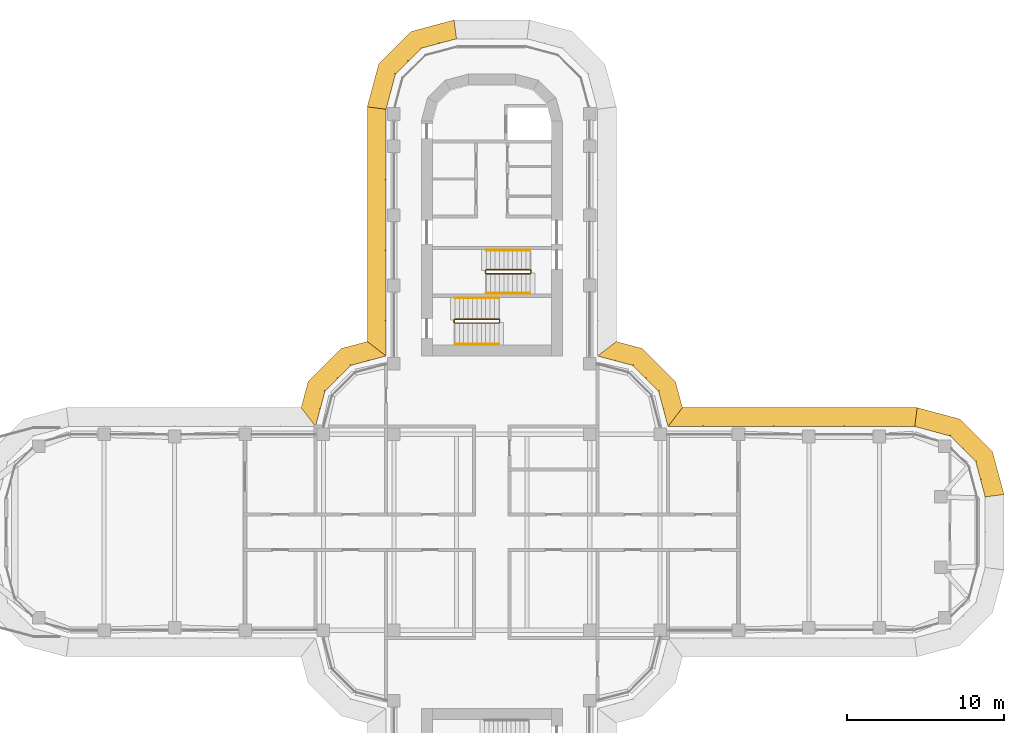
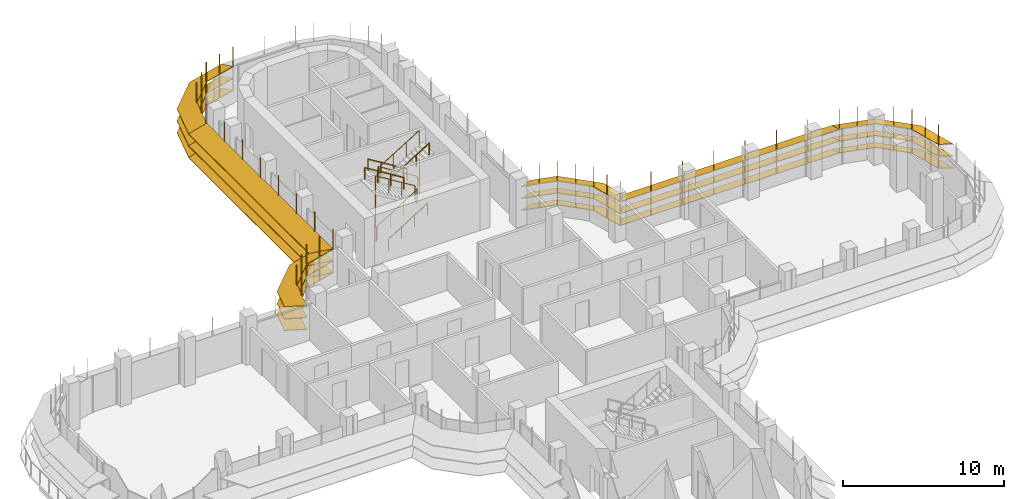
# One storey, part 19 of 20: 6 railings, 6 shading devices.
"""IFC4 building model written with IfcOpenShell, lengths in metres."""

from ifc_helpers import new_model, si_unit, direction, frame, origin, origin_2d, place, context, subcontext, project, spatial, polyline, circle, outline, extrude, faceted_brep, source, transform, mapped, material, type_object, element, save


model = new_model("IFC4")

# Units and contexts
model_context = context("Model", 3, precision=1e-05, world=origin(), true_north=direction((0.0, 1.0)))
body_context = subcontext(model_context, "Body", "Model", "MODEL_VIEW")
ifc_project = project(units=[si_unit("LENGTHUNIT", "METRE"), si_unit("AREAUNIT", "SQUARE_METRE"), si_unit("VOLUMEUNIT", "CUBIC_METRE"), si_unit("PLANEANGLEUNIT", "RADIAN"), si_unit("MASSUNIT", "GRAM", prefix="KILO")], contexts=[model_context])

# Site, building, storey
site_placement = place(None, origin())
site = spatial("IfcSite", under=ifc_project, at=site_placement, CompositionType="ELEMENT")
building_placement = place(site_placement, origin())
building = spatial("IfcBuilding", under=site, at=building_placement, Name="Zarbagh Exchange Tower", CompositionType="ELEMENT")
storey_placement = place(building_placement, frame((0.0, 0.0, 186.60009765625)))
storey = spatial("IfcBuildingStorey", under=building, at=storey_placement, Name="L45", CompositionType="ELEMENT", Elevation=186.60009765625)

# Railings
ifc_material_1 = material(Name="Stainless steel", Category="steel")
railing_type_1 = type_object("IfcRailingType", Name="Stair guard 1100 mm", PredefinedType="GUARDRAIL", material=ifc_material_1)
railing_1_placement = place(storey_placement, frame((-0.35009765625, 16.5, 2.072509765625)))
element("IfcRailing", 1, at=railing_1_placement, inside=storey, type_object=railing_type_1, Name="ST1 stair guard 1", PredefinedType="GUARDRAIL", context=body_context, shape_type="SweptSolid", body=[
    extrude(circle(Radius=0.02392578125, at=origin_2d()), frame((0.0, 0.0, 1.076171875), z_axis=(0.851089632645, 0.0, 0.525020415988), x_axis=(0.0, 1.0, 0.0)), (0.0, 0.0, 1.0), 3.2900390625),
    extrude(circle(Radius=0.02392578125, at=origin_2d()), frame((2.800048828125, 0.0, 2.80322265625), z_axis=(0.013169136761, 0.013169136761, -0.999826558796), x_axis=(-0.707106781187, 0.707106781187, 0.0)), (0.0, 0.0, 1.0), 3.800537109375),
    extrude(circle(Radius=0.02392578125, at=origin_2d()), frame((2.85009765625, 0.050048828125, -0.99658203125), z_axis=(0.0, 1.0, 0.0), x_axis=(-1.0, 0.0, 0.0)), (0.0, 0.0, 1.0), 0.14990234375),
    extrude(circle(Radius=0.02392578125, at=origin_2d()), frame((2.85009765625, 0.199951171875, -0.99658203125), z_axis=(-0.268277960024, 0.268277960024, 0.925231793839), x_axis=(-0.707106781187, -0.707106781187, 0.0)), (0.0, 0.0, 1.0), 0.1865234375),
    extrude(circle(Radius=0.02392578125, at=origin_2d()), frame((2.800048828125, 0.25, -0.82373046875), z_axis=(-0.851089632645, 0.0, 0.525020415988), x_axis=(0.0, -1.0, 0.0)), (0.0, 0.0, 1.0), 3.2900390625),
    extrude(circle(Radius=0.02392578125, at=origin_2d()), frame((0.0, 0.25, 0.9033203125), z_axis=(-0.705375805398, -0.708833529934, 0.0), x_axis=(0.708833529934, -0.705375805398, 0.0)), (0.0, 0.0, 1.0), 0.070556640625),
    extrude(circle(Radius=0.02392578125, at=origin_2d()), frame((-0.0498046875, 0.199951171875, 0.9033203125), z_axis=(0.0, -1.0, 0.0), x_axis=(1.0, 0.0, 0.0)), (0.0, 0.0, 1.0), 0.14990234375),
    extrude(circle(Radius=0.02099609375, at=origin_2d()), origin(), (0.0, 0.0, 1.0), 1.052001953125),
    extrude(circle(Radius=0.02099609375, at=origin_2d()), frame((0.933349609375, 0.0, 0.57568359375)), (0.0, 0.0, 1.0), 1.052001953125),
    extrude(circle(Radius=0.02099609375, at=origin_2d()), frame((1.86669921875, 0.0, 1.151611328125)), (0.0, 0.0, 1.0), 1.052001953125),
    extrude(circle(Radius=0.02099609375, at=origin_2d()), frame((2.800048828125, 0.0, 1.727294921875)), (0.0, 0.0, 1.0), 1.052001953125),
    extrude(circle(Radius=0.02099609375, at=origin_2d()), frame((2.8125, 0.012451171875, 0.77734375)), (0.0, 0.0, 1.0), 1.052001953125),
    extrude(circle(Radius=0.02099609375, at=origin_2d()), frame((2.8251953125, 0.02490234375, -0.172607421875)), (0.0, 0.0, 1.0), 1.052001953125),
    extrude(circle(Radius=0.02099609375, at=origin_2d()), frame((2.837646484375, 0.03759765625, -1.12255859375)), (0.0, 0.0, 1.0), 1.052001953125),
    extrude(circle(Radius=0.02099609375, at=origin_2d()), frame((2.85009765625, 0.050048828125, -2.072509765625)), (0.0, 0.0, 1.0), 1.052001953125),
    extrude(circle(Radius=0.02099609375, at=origin_2d()), frame((2.85009765625, 0.199951171875, -2.072509765625)), (0.0, 0.0, 1.0), 1.052001953125),
    extrude(circle(Radius=0.02099609375, at=origin_2d()), frame((2.800048828125, 0.25, -1.89990234375)), (0.0, 0.0, 1.0), 1.052001953125),
    extrude(circle(Radius=0.02099609375, at=origin_2d()), frame((1.86669921875, 0.25, -1.32421875)), (0.0, 0.0, 1.0), 1.052001953125),
    extrude(circle(Radius=0.02099609375, at=origin_2d()), frame((0.933349609375, 0.25, -0.748291015625)), (0.0, 0.0, 1.0), 1.052001953125),
    extrude(circle(Radius=0.02099609375, at=origin_2d()), frame((0.0, 0.25, -0.172607421875)), (0.0, 0.0, 1.0), 1.052001953125),
    extrude(circle(Radius=0.02099609375, at=origin_2d()), frame((-0.0498046875, 0.199951171875, -0.172607421875)), (0.0, 0.0, 1.0), 1.052001953125),
    extrude(circle(Radius=0.02099609375, at=origin_2d()), frame((-0.0498046875, 0.050048828125, -0.172607421875)), (0.0, 0.0, 1.0), 1.052001953125),
])
railing_2_placement = place(storey_placement, frame((0.5, 13.39990234375, 1.89990234375)))
element("IfcRailing", 2, at=railing_2_placement, inside=storey, type_object=railing_type_1, Name="ST2 stair guard 1", PredefinedType="GUARDRAIL", context=body_context, shape_type="SweptSolid", body=[
    extrude(circle(Radius=0.02392578125, at=origin_2d()), frame((0.0, 0.0, 1.076171875), z_axis=(0.0, 1.0, 0.0), x_axis=(-1.0, 0.0, 0.0)), (0.0, 0.0, 1.0), 0.150146484375),
    extrude(circle(Radius=0.02392578125, at=origin_2d()), frame((0.0, 0.150146484375, 1.076171875), z_axis=(-0.268277960024, 0.268277960024, 0.925231793839), x_axis=(-0.707106781187, -0.707106781187, 0.0)), (0.0, 0.0, 1.0), 0.1865234375),
    extrude(circle(Radius=0.02392578125, at=origin_2d()), frame((-0.050048828125, 0.2001953125, 1.24853515625), z_axis=(-0.851089632645, 0.0, 0.525020415988), x_axis=(0.0, -1.0, 0.0)), (0.0, 0.0, 1.0), 3.2900390625),
    extrude(circle(Radius=0.02392578125, at=origin_2d()), frame((-2.85009765625, 0.2001953125, 2.97607421875), z_axis=(-0.013104908129, -0.013169147875, -0.999827402569), x_axis=(0.708833529934, -0.705375805398, 0.0)), (0.0, 0.0, 1.0), 3.800537109375),
    extrude(circle(Radius=0.02392578125, at=origin_2d()), frame((-2.89990234375, 0.150146484375, -0.82373046875), z_axis=(0.0, -1.0, 0.0), x_axis=(1.0, 0.0, 0.0)), (0.0, 0.0, 1.0), 0.150146484375),
    extrude(circle(Radius=0.02392578125, at=origin_2d()), frame((-2.89990234375, 0.0, -0.82373046875), z_axis=(0.26715648603, -0.26715648603, 0.925880566782), x_axis=(0.707106781187, 0.707106781187, 0.0)), (0.0, 0.0, 1.0), 0.1865234375),
    extrude(circle(Radius=0.02392578125, at=origin_2d()), frame((-2.85009765625, -0.0498046875, -0.6513671875), z_axis=(0.851089632645, 0.0, 0.525020415988), x_axis=(0.0, 1.0, 0.0)), (0.0, 0.0, 1.0), 3.2900390625),
    extrude(circle(Radius=0.02099609375, at=origin_2d()), origin(), (0.0, 0.0, 1.0), 1.052001953125),
    extrude(circle(Radius=0.02099609375, at=origin_2d()), frame((0.0, 0.150146484375, 0.0)), (0.0, 0.0, 1.0), 1.052001953125),
    extrude(circle(Radius=0.02099609375, at=origin_2d()), frame((-0.050048828125, 0.2001953125, 0.172607421875)), (0.0, 0.0, 1.0), 1.052001953125),
    extrude(circle(Radius=0.02099609375, at=origin_2d()), frame((-0.9833984375, 0.2001953125, 0.748291015625)), (0.0, 0.0, 1.0), 1.052001953125),
    extrude(circle(Radius=0.02099609375, at=origin_2d()), frame((-1.916748046875, 0.2001953125, 1.32421875)), (0.0, 0.0, 1.0), 1.052001953125),
    extrude(circle(Radius=0.02099609375, at=origin_2d()), frame((-2.85009765625, 0.2001953125, 1.89990234375)), (0.0, 0.0, 1.0), 1.052001953125),
    extrude(circle(Radius=0.02099609375, at=origin_2d()), frame((-2.862548828125, 0.187744140625, 0.949951171875)), (0.0, 0.0, 1.0), 1.052001953125),
    extrude(circle(Radius=0.02099609375, at=origin_2d()), frame((-2.875, 0.17529296875, 0.0)), (0.0, 0.0, 1.0), 1.052001953125),
    extrude(circle(Radius=0.02099609375, at=origin_2d()), frame((-2.887451171875, 0.16259765625, -0.949951171875)), (0.0, 0.0, 1.0), 1.052001953125),
    extrude(circle(Radius=0.02099609375, at=origin_2d()), frame((-2.89990234375, 0.150146484375, -1.89990234375)), (0.0, 0.0, 1.0), 1.052001953125),
    extrude(circle(Radius=0.02099609375, at=origin_2d()), frame((-2.89990234375, 0.0, -1.89990234375)), (0.0, 0.0, 1.0), 1.052001953125),
    extrude(circle(Radius=0.02099609375, at=origin_2d()), frame((-2.85009765625, -0.0498046875, -1.727294921875)), (0.0, 0.0, 1.0), 1.052001953125),
    extrude(circle(Radius=0.02099609375, at=origin_2d()), frame((-1.916748046875, -0.0498046875, -1.151611328125)), (0.0, 0.0, 1.0), 1.052001953125),
    extrude(circle(Radius=0.02099609375, at=origin_2d()), frame((-0.9833984375, -0.0498046875, -0.57568359375)), (0.0, 0.0, 1.0), 1.052001953125),
    extrude(circle(Radius=0.02099609375, at=origin_2d()), frame((-0.050048828125, -0.0498046875, 0.0)), (0.0, 0.0, 1.0), 1.052001953125),
])
railing_type_2 = type_object("IfcRailingType", Name="Stair handrail 900 mm", PredefinedType="HANDRAIL", material=ifc_material_1)
railing_3_placement = place(storey_placement, frame((2.449951171875, 18.0, 0.172607421875)))
element("IfcRailing", 3, at=railing_3_placement, inside=storey, type_object=railing_type_2, Name="ST1 stair handrail 1", PredefinedType="HANDRAIL", context=body_context, shape_type="SweptSolid", body=[
    extrude(circle(Radius=0.02392578125, at=origin_2d()), frame((0.0, 0.0, 0.8759765625), z_axis=(-0.851089632645, 0.0, 0.525020415988), x_axis=(0.0, -1.0, 0.0)), (0.0, 0.0, 1.0), 3.2900390625),
    extrude(circle(Radius=0.02099609375, at=origin_2d()), origin(), (0.0, 0.0, 1.0), 0.851806640625),
    extrude(circle(Radius=0.02099609375, at=origin_2d()), frame((-0.933349609375, 0.0, 0.57568359375)), (0.0, 0.0, 1.0), 0.851806640625),
    extrude(circle(Radius=0.02099609375, at=origin_2d()), frame((-1.86669921875, 0.0, 1.151611328125)), (0.0, 0.0, 1.0), 0.851806640625),
    extrude(circle(Radius=0.02099609375, at=origin_2d()), frame((-2.800048828125, 0.0, 1.727294921875)), (0.0, 0.0, 1.0), 0.851806640625),
])
for number, where, name in (
    (4, (-0.35009765625, 15.25, 2.072509765625), "ST1 stair handrail 2"),
    (5, (-2.35009765625, 12.0, 0.172607421875), "ST2 stair handrail 1"),
):
    element("IfcRailing", number, at=place(storey_placement, frame(where)), inside=storey, type_object=railing_type_2, Name=name, PredefinedType="HANDRAIL", context=body_context, shape_type="SweptSolid", body=[
        extrude(circle(Radius=0.02392578125, at=origin_2d()), frame((0.0, 0.0, 0.8759765625), z_axis=(0.851089632645, 0.0, 0.525020415988), x_axis=(0.0, 1.0, 0.0)), (0.0, 0.0, 1.0), 3.2900390625),
        extrude(circle(Radius=0.02099609375, at=origin_2d()), origin(), (0.0, 0.0, 1.0), 0.851806640625),
        extrude(circle(Radius=0.02099609375, at=origin_2d()), frame((0.933349609375, 0.0, 0.57568359375)), (0.0, 0.0, 1.0), 0.851806640625),
        extrude(circle(Radius=0.02099609375, at=origin_2d()), frame((1.86669921875, 0.0, 1.151611328125)), (0.0, 0.0, 1.0), 0.851806640625),
        extrude(circle(Radius=0.02099609375, at=origin_2d()), frame((2.800048828125, 0.0, 1.727294921875)), (0.0, 0.0, 1.0), 0.851806640625),
    ])
railing_4_placement = place(storey_placement, frame((0.449951171875, 14.949951171875, 2.072509765625)))
element("IfcRailing", 6, at=railing_4_placement, inside=storey, type_object=railing_type_2, Name="ST2 stair handrail 2", PredefinedType="HANDRAIL", context=body_context, shape_type="SweptSolid", body=[
    extrude(circle(Radius=0.02392578125, at=origin_2d()), frame((0.0, 0.0, 0.8759765625), z_axis=(-0.851089632645, 0.0, 0.525020415988), x_axis=(0.0, -1.0, 0.0)), (0.0, 0.0, 1.0), 3.2900390625),
    extrude(circle(Radius=0.02099609375, at=origin_2d()), origin(), (0.0, 0.0, 1.0), 0.851806640625),
    extrude(circle(Radius=0.02099609375, at=origin_2d()), frame((-0.933349609375, 0.0, 0.57568359375)), (0.0, 0.0, 1.0), 0.851806640625),
    extrude(circle(Radius=0.02099609375, at=origin_2d()), frame((-1.86669921875, 0.0, 1.151611328125)), (0.0, 0.0, 1.0), 0.851806640625),
    extrude(circle(Radius=0.02099609375, at=origin_2d()), frame((-2.800048828125, 0.0, 1.727294921875)), (0.0, 0.0, 1.0), 0.851806640625),
])

# Shading devices
ifc_material_2 = material(Name="Anodised aluminium blades and brackets", Category="aluminium")
shading_device_type = type_object("IfcShadingDeviceType", Name="SUNSHADE louvre band, 22.5 degree blades", PredefinedType="JALOUSIE", material=ifc_material_2)
shared_shape_1 = source(origin(), body_context, "Body", "Brep", [
    faceted_brep([(0.0, 0.0, 0.0), (0.0, 0.0, -0.043212890625), (-0.157958984375, -1.199951171875, -0.540283203125), (-0.157958984375, -1.199951171875, -0.4970703125), (2.65087890625, -1.199951171875, -0.4970703125), (2.65087890625, -1.199951171875, -0.540283203125), (2.329345703125, 0.0, -0.043212890625), (2.329345703125, 0.0, 0.0)], [[[0, 1, 2, 3]], [[4, 5, 6, 7]], [[0, 7, 6, 1]], [[1, 6, 5, 2]], [[2, 5, 4, 3]], [[3, 4, 7, 0]]]),
])
shared_shape_2 = source(origin(), body_context, "Body", "Brep", [
    faceted_brep([(0.0, 0.0, 0.0), (0.0, 0.0, -0.043212890625), (-0.321533203125, -1.199951171875, -0.540283203125), (-0.321533203125, -1.199951171875, -0.4970703125), (2.65087890625, -1.199951171875, -0.4970703125), (2.65087890625, -1.199951171875, -0.540283203125), (2.329345703125, 0.0, -0.043212890625), (2.329345703125, 0.0, 0.0)], [[[0, 1, 2, 3]], [[4, 5, 6, 7]], [[0, 7, 6, 1]], [[1, 6, 5, 2]], [[2, 5, 4, 3]], [[3, 4, 7, 0]]]),
])
shared_shape_3 = source(origin(), body_context, "Body", "Brep", [
    faceted_brep([(0.0, 0.0, 0.0), (0.0, 0.0, -0.043212890625), (-0.321533203125, -1.199951171875, -0.540283203125), (-0.321533203125, -1.199951171875, -0.4970703125), (2.4873046875, -1.199951171875, -0.4970703125), (2.4873046875, -1.199951171875, -0.540283203125), (2.329345703125, 0.0, -0.043212890625), (2.329345703125, 0.0, 0.0)], [[[0, 1, 2, 3]], [[4, 5, 6, 7]], [[0, 7, 6, 1]], [[1, 6, 5, 2]], [[2, 5, 4, 3]], [[3, 4, 7, 0]]]),
])
shared_shape_4 = source(origin(), body_context, "Body", "SweptSolid", [
    extrude(outline(polyline([(0.0, -0.012451171875), (0.06005859375, -0.012451171875), (0.06005859375, 0.012451171875), (0.0, 0.012451171875), (0.0, -0.012451171875)])), origin(), (0.0, 0.0, 1.0), 3.353271484375),
])
placement = place(storey_placement, origin())
element("IfcShadingDevice", 7, at=placement, inside=storey, type_object=shading_device_type, Name="SS33 sunshade band", PredefinedType="JALOUSIE", context=body_context, shape_type="MappedRepresentation", body=[
    mapped(shared_shape_1, transform((31.5, 2.25, 2.2998046875), x_axis=(-0.258824779902, 0.965924289636, 0.0), y_axis=(-0.965924289636, -0.258824779902, 0.0), z_axis=(0.0, 0.0, 1.0))),
    mapped(shared_shape_1, transform((31.5, 2.25, 1.39990234375), x_axis=(-0.258824779902, 0.965924289636, 0.0), y_axis=(-0.965924289636, -0.258824779902, 0.0), z_axis=(0.0, 0.0, 1.0))),
    mapped(shared_shape_1, transform((31.5, 2.25, 0.5), x_axis=(-0.258824779902, 0.965924289636, 0.0), y_axis=(-0.965924289636, -0.258824779902, 0.0), z_axis=(0.0, 0.0, 1.0))),
    mapped(shared_shape_2, transform((30.897216796875, 4.5, 2.2998046875), x_axis=(-0.707106781187, 0.707106781187, 0.0), y_axis=(-0.707106781187, -0.707106781187, 0.0), z_axis=(0.0, 0.0, 1.0))),
    mapped(shared_shape_2, transform((30.897216796875, 4.5, 1.39990234375), x_axis=(-0.707106781187, 0.707106781187, 0.0), y_axis=(-0.707106781187, -0.707106781187, 0.0), z_axis=(0.0, 0.0, 1.0))),
    mapped(shared_shape_2, transform((30.897216796875, 4.5, 0.5), x_axis=(-0.707106781187, 0.707106781187, 0.0), y_axis=(-0.707106781187, -0.707106781187, 0.0), z_axis=(0.0, 0.0, 1.0))),
    mapped(shared_shape_3, transform((29.25, 6.147216796875, 2.2998046875), x_axis=(-0.965924289636, 0.258824779902, 0.0), y_axis=(-0.258824779902, -0.965924289636, 0.0), z_axis=(0.0, 0.0, 1.0))),
    mapped(shared_shape_3, transform((29.25, 6.147216796875, 1.39990234375), x_axis=(-0.965924289636, 0.258824779902, 0.0), y_axis=(-0.258824779902, -0.965924289636, 0.0), z_axis=(0.0, 0.0, 1.0))),
    mapped(shared_shape_3, transform((29.25, 6.147216796875, 0.5), x_axis=(-0.965924289636, 0.258824779902, 0.0), y_axis=(-0.258824779902, -0.965924289636, 0.0), z_axis=(0.0, 0.0, 1.0))),
    mapped(shared_shape_4, transform((31.5, 2.25, 0.426513671875), x_axis=(0.991444457092, 0.130529263012, 0.0), y_axis=(-0.130529263012, 0.991444457092, 0.0), z_axis=(0.0, 0.0, 1.0))),
    mapped(shared_shape_4, transform((31.198486328125, 3.375, 0.426513671875), x_axis=(0.96592421511, 0.258825058029, 0.0), y_axis=(-0.258825058029, 0.96592421511, 0.0), z_axis=(0.0, 0.0, 1.0))),
    mapped(shared_shape_4, transform((30.897216796875, 4.5, 0.426513671875), x_axis=(0.866023812018, 0.50000275701, 0.0), y_axis=(-0.50000275701, 0.866023812018, 0.0), z_axis=(0.0, 0.0, 1.0))),
    mapped(shared_shape_4, transform((30.073486328125, 5.323486328125, 0.426513671875), x_axis=(0.707106781187, 0.707106781187, 0.0), y_axis=(-0.707106781187, 0.707106781187, 0.0), z_axis=(0.0, 0.0, 1.0))),
    mapped(shared_shape_4, transform((29.25, 6.147216796875, 0.426513671875), x_axis=(0.50000275701, 0.866023812018, 0.0), y_axis=(-0.866023812018, 0.50000275701, 0.0), z_axis=(0.0, 0.0, 1.0))),
    mapped(shared_shape_4, transform((28.125, 6.448486328125, 0.426513671875), x_axis=(0.258825058029, 0.96592421511, 0.0), y_axis=(-0.96592421511, 0.258825058029, 0.0), z_axis=(0.0, 0.0, 1.0))),
])
element("IfcShadingDevice", 8, at=placement, inside=storey, type_object=shading_device_type, Name="SS28 sunshade band", PredefinedType="JALOUSIE", context=body_context, shape_type="MappedRepresentation", body=[
    mapped(shared_shape_1, transform((-2.25, 31.5, 2.2998046875), x_axis=(-0.965924289636, -0.258824779902, 0.0), y_axis=(0.258824779902, -0.965924289636, 0.0), z_axis=(0.0, 0.0, 1.0))),
    mapped(shared_shape_1, transform((-2.25, 31.5, 1.39990234375), x_axis=(-0.965924289636, -0.258824779902, 0.0), y_axis=(0.258824779902, -0.965924289636, 0.0), z_axis=(0.0, 0.0, 1.0))),
    mapped(shared_shape_1, transform((-2.25, 31.5, 0.5), x_axis=(-0.965924289636, -0.258824779902, 0.0), y_axis=(0.258824779902, -0.965924289636, 0.0), z_axis=(0.0, 0.0, 1.0))),
    mapped(shared_shape_2, transform((-4.5, 30.897216796875, 2.2998046875), x_axis=(-0.707106781187, -0.707106781187, 0.0), y_axis=(0.707106781187, -0.707106781187, 0.0), z_axis=(0.0, 0.0, 1.0))),
    mapped(shared_shape_2, transform((-4.5, 30.897216796875, 1.39990234375), x_axis=(-0.707106781187, -0.707106781187, 0.0), y_axis=(0.707106781187, -0.707106781187, 0.0), z_axis=(0.0, 0.0, 1.0))),
    mapped(shared_shape_2, transform((-4.5, 30.897216796875, 0.5), x_axis=(-0.707106781187, -0.707106781187, 0.0), y_axis=(0.707106781187, -0.707106781187, 0.0), z_axis=(0.0, 0.0, 1.0))),
    mapped(shared_shape_3, transform((-6.147216796875, 29.25, 2.2998046875), x_axis=(-0.258824779902, -0.965924289636, 0.0), y_axis=(0.965924289636, -0.258824779902, 0.0), z_axis=(0.0, 0.0, 1.0))),
    mapped(shared_shape_3, transform((-6.147216796875, 29.25, 1.39990234375), x_axis=(-0.258824779902, -0.965924289636, 0.0), y_axis=(0.965924289636, -0.258824779902, 0.0), z_axis=(0.0, 0.0, 1.0))),
    mapped(shared_shape_3, transform((-6.147216796875, 29.25, 0.5), x_axis=(-0.258824779902, -0.965924289636, 0.0), y_axis=(0.965924289636, -0.258824779902, 0.0), z_axis=(0.0, 0.0, 1.0))),
    mapped(shared_shape_4, transform((-2.25, 31.5, 0.426513671875), x_axis=(-0.130529263012, 0.991444457092, 0.0), y_axis=(-0.991444457092, -0.130529263012, 0.0), z_axis=(0.0, 0.0, 1.0))),
    mapped(shared_shape_4, transform((-3.375, 31.198486328125, 0.426513671875), x_axis=(-0.258825058029, 0.96592421511, 0.0), y_axis=(-0.96592421511, -0.258825058029, 0.0), z_axis=(0.0, 0.0, 1.0))),
    mapped(shared_shape_4, transform((-4.5, 30.897216796875, 0.426513671875), x_axis=(-0.50000275701, 0.866023812018, 0.0), y_axis=(-0.866023812018, -0.50000275701, 0.0), z_axis=(0.0, 0.0, 1.0))),
    mapped(shared_shape_4, transform((-5.323486328125, 30.073486328125, 0.426513671875), x_axis=(-0.707106781187, 0.707106781187, 0.0), y_axis=(-0.707106781187, -0.707106781187, 0.0), z_axis=(0.0, 0.0, 1.0))),
    mapped(shared_shape_4, transform((-6.147216796875, 29.25, 0.426513671875), x_axis=(-0.866023812018, 0.50000275701, 0.0), y_axis=(-0.50000275701, -0.866023812018, 0.0), z_axis=(0.0, 0.0, 1.0))),
    mapped(shared_shape_4, transform((-6.448486328125, 28.125, 0.426513671875), x_axis=(-0.96592421511, 0.258825058029, 0.0), y_axis=(-0.258825058029, -0.96592421511, 0.0), z_axis=(0.0, 0.0, 1.0))),
])
shared_shape_5 = source(origin(), body_context, "Body", "Brep", [
    faceted_brep([(0.0, 0.0, 0.0), (0.0, 0.0, -0.043212890625), (0.9208984375, -1.199951171875, -0.540283203125), (0.9208984375, -1.199951171875, -0.4970703125), (2.65087890625, -1.199951171875, -0.4970703125), (2.65087890625, -1.199951171875, -0.540283203125), (2.329345703125, 0.0, -0.043212890625), (2.329345703125, 0.0, 0.0)], [[[0, 1, 2, 3]], [[4, 5, 6, 7]], [[0, 7, 6, 1]], [[1, 6, 5, 2]], [[2, 5, 4, 3]], [[3, 4, 7, 0]]]),
])
shared_shape_6 = source(origin(), body_context, "Body", "Brep", [
    faceted_brep([(0.0, 0.0, 0.0), (0.0, 0.0, -0.043212890625), (-0.321533203125, -1.199951171875, -0.540283203125), (-0.321533203125, -1.199951171875, -0.4970703125), (1.40869140625, -1.199951171875, -0.4970703125), (1.40869140625, -1.199951171875, -0.540283203125), (2.329345703125, 0.0, -0.043212890625), (2.329345703125, 0.0, 0.0)], [[[0, 1, 2, 3]], [[4, 5, 6, 7]], [[0, 7, 6, 1]], [[1, 6, 5, 2]], [[2, 5, 4, 3]], [[3, 4, 7, 0]]]),
])
element("IfcShadingDevice", 9, at=placement, inside=storey, type_object=shading_device_type, Name="SS09 sunshade band", PredefinedType="JALOUSIE", context=body_context, shape_type="MappedRepresentation", body=[
    mapped(shared_shape_5, transform((11.25, 6.75, 2.2998046875), x_axis=(-0.258824779902, 0.965924289636, 0.0), y_axis=(-0.965924289636, -0.258824779902, 0.0), z_axis=(0.0, 0.0, 1.0))),
    mapped(shared_shape_5, transform((11.25, 6.75, 1.39990234375), x_axis=(-0.258824779902, 0.965924289636, 0.0), y_axis=(-0.965924289636, -0.258824779902, 0.0), z_axis=(0.0, 0.0, 1.0))),
    mapped(shared_shape_5, transform((11.25, 6.75, 0.5), x_axis=(-0.258824779902, 0.965924289636, 0.0), y_axis=(-0.965924289636, -0.258824779902, 0.0), z_axis=(0.0, 0.0, 1.0))),
    mapped(shared_shape_2, transform((10.647216796875, 9.0, 2.2998046875), x_axis=(-0.707106781187, 0.707106781187, 0.0), y_axis=(-0.707106781187, -0.707106781187, 0.0), z_axis=(0.0, 0.0, 1.0))),
    mapped(shared_shape_2, transform((10.647216796875, 9.0, 1.39990234375), x_axis=(-0.707106781187, 0.707106781187, 0.0), y_axis=(-0.707106781187, -0.707106781187, 0.0), z_axis=(0.0, 0.0, 1.0))),
    mapped(shared_shape_2, transform((10.647216796875, 9.0, 0.5), x_axis=(-0.707106781187, 0.707106781187, 0.0), y_axis=(-0.707106781187, -0.707106781187, 0.0), z_axis=(0.0, 0.0, 1.0))),
    mapped(shared_shape_6, transform((9.0, 10.647216796875, 2.2998046875), x_axis=(-0.965924289636, 0.258824779902, 0.0), y_axis=(-0.258824779902, -0.965924289636, 0.0), z_axis=(0.0, 0.0, 1.0))),
    mapped(shared_shape_6, transform((9.0, 10.647216796875, 1.39990234375), x_axis=(-0.965924289636, 0.258824779902, 0.0), y_axis=(-0.258824779902, -0.965924289636, 0.0), z_axis=(0.0, 0.0, 1.0))),
    mapped(shared_shape_6, transform((9.0, 10.647216796875, 0.5), x_axis=(-0.965924289636, 0.258824779902, 0.0), y_axis=(-0.258824779902, -0.965924289636, 0.0), z_axis=(0.0, 0.0, 1.0))),
    mapped(shared_shape_4, transform((11.25, 6.75, 0.426513671875), x_axis=(0.608758892, 0.793355287, 0.0), y_axis=(-0.793355287, 0.608758892, 0.0), z_axis=(0.0, 0.0, 1.0))),
    mapped(shared_shape_4, transform((10.948486328125, 7.875, 0.426513671875), x_axis=(0.96592421511, 0.258825058029, 0.0), y_axis=(-0.258825058029, 0.96592421511, 0.0), z_axis=(0.0, 0.0, 1.0))),
    mapped(shared_shape_4, transform((10.647216796875, 9.0, 0.426513671875), x_axis=(0.866023812018, 0.50000275701, 0.0), y_axis=(-0.50000275701, 0.866023812018, 0.0), z_axis=(0.0, 0.0, 1.0))),
    mapped(shared_shape_4, transform((9.823486328125, 9.823486328125, 0.426513671875), x_axis=(0.707106781187, 0.707106781187, 0.0), y_axis=(-0.707106781187, 0.707106781187, 0.0), z_axis=(0.0, 0.0, 1.0))),
    mapped(shared_shape_4, transform((9.0, 10.647216796875, 0.426513671875), x_axis=(0.50000275701, 0.866023812018, 0.0), y_axis=(-0.866023812018, 0.50000275701, 0.0), z_axis=(0.0, 0.0, 1.0))),
    mapped(shared_shape_4, transform((7.875, 10.948486328125, 0.426513671875), x_axis=(0.258825058029, 0.96592421511, 0.0), y_axis=(-0.96592421511, 0.258825058029, 0.0), z_axis=(0.0, 0.0, 1.0))),
])
element("IfcShadingDevice", 10, at=placement, inside=storey, type_object=shading_device_type, Name="SS15 sunshade band", PredefinedType="JALOUSIE", context=body_context, shape_type="MappedRepresentation", body=[
    mapped(shared_shape_5, transform((-6.75, 11.25, 2.2998046875), x_axis=(-0.965924289636, -0.258824779902, 0.0), y_axis=(0.258824779902, -0.965924289636, 0.0), z_axis=(0.0, 0.0, 1.0))),
    mapped(shared_shape_5, transform((-6.75, 11.25, 1.39990234375), x_axis=(-0.965924289636, -0.258824779902, 0.0), y_axis=(0.258824779902, -0.965924289636, 0.0), z_axis=(0.0, 0.0, 1.0))),
    mapped(shared_shape_5, transform((-6.75, 11.25, 0.5), x_axis=(-0.965924289636, -0.258824779902, 0.0), y_axis=(0.258824779902, -0.965924289636, 0.0), z_axis=(0.0, 0.0, 1.0))),
    mapped(shared_shape_2, transform((-9.0, 10.647216796875, 2.2998046875), x_axis=(-0.707106781187, -0.707106781187, 0.0), y_axis=(0.707106781187, -0.707106781187, 0.0), z_axis=(0.0, 0.0, 1.0))),
    mapped(shared_shape_2, transform((-9.0, 10.647216796875, 1.39990234375), x_axis=(-0.707106781187, -0.707106781187, 0.0), y_axis=(0.707106781187, -0.707106781187, 0.0), z_axis=(0.0, 0.0, 1.0))),
    mapped(shared_shape_2, transform((-9.0, 10.647216796875, 0.5), x_axis=(-0.707106781187, -0.707106781187, 0.0), y_axis=(0.707106781187, -0.707106781187, 0.0), z_axis=(0.0, 0.0, 1.0))),
    mapped(shared_shape_6, transform((-10.647216796875, 9.0, 2.2998046875), x_axis=(-0.258824779902, -0.965924289636, 0.0), y_axis=(0.965924289636, -0.258824779902, 0.0), z_axis=(0.0, 0.0, 1.0))),
    mapped(shared_shape_6, transform((-10.647216796875, 9.0, 1.39990234375), x_axis=(-0.258824779902, -0.965924289636, 0.0), y_axis=(0.965924289636, -0.258824779902, 0.0), z_axis=(0.0, 0.0, 1.0))),
    mapped(shared_shape_6, transform((-10.647216796875, 9.0, 0.5), x_axis=(-0.258824779902, -0.965924289636, 0.0), y_axis=(0.965924289636, -0.258824779902, 0.0), z_axis=(0.0, 0.0, 1.0))),
    mapped(shared_shape_4, transform((-6.75, 11.25, 0.426513671875), x_axis=(-0.793355287, 0.608758892, 0.0), y_axis=(-0.608758892, -0.793355287, 0.0), z_axis=(0.0, 0.0, 1.0))),
    mapped(shared_shape_4, transform((-7.875, 10.948486328125, 0.426513671875), x_axis=(-0.258825058029, 0.96592421511, 0.0), y_axis=(-0.96592421511, -0.258825058029, 0.0), z_axis=(0.0, 0.0, 1.0))),
    mapped(shared_shape_4, transform((-9.0, 10.647216796875, 0.426513671875), x_axis=(-0.50000275701, 0.866023812018, 0.0), y_axis=(-0.866023812018, -0.50000275701, 0.0), z_axis=(0.0, 0.0, 1.0))),
    mapped(shared_shape_4, transform((-9.823486328125, 9.823486328125, 0.426513671875), x_axis=(-0.707106781187, 0.707106781187, 0.0), y_axis=(-0.707106781187, -0.707106781187, 0.0), z_axis=(0.0, 0.0, 1.0))),
    mapped(shared_shape_4, transform((-10.647216796875, 9.0, 0.426513671875), x_axis=(-0.866023812018, 0.50000275701, 0.0), y_axis=(-0.50000275701, -0.866023812018, 0.0), z_axis=(0.0, 0.0, 1.0))),
    mapped(shared_shape_4, transform((-10.948486328125, 7.875, 0.426513671875), x_axis=(-0.96592421511, 0.258825058029, 0.0), y_axis=(-0.258825058029, -0.96592421511, 0.0), z_axis=(0.0, 0.0, 1.0))),
])
shared_shape_7 = source(origin(), body_context, "Body", "Brep", [
    faceted_brep([(0.0, 0.0, 0.0), (0.0, 0.0, -0.043212890625), (-0.157958984375, -1.199951171875, -0.540283203125), (-0.157958984375, -1.199951171875, -0.4970703125), (14.8291015625, -1.199951171875, -0.4970703125), (14.8291015625, -1.199951171875, -0.540283203125), (15.75, 0.0, -0.043212890625), (15.75, 0.0, 0.0)], [[[0, 1, 2, 3]], [[4, 5, 6, 7]], [[0, 7, 6, 1]], [[1, 6, 5, 2]], [[2, 5, 4, 3]], [[3, 4, 7, 0]]]),
])
element("IfcShadingDevice", 11, at=placement, inside=storey, type_object=shading_device_type, Name="SS34 sunshade band", PredefinedType="JALOUSIE", context=body_context, shape_type="MappedRepresentation", body=[
    mapped(shared_shape_7, transform((27.0, 6.75, 2.2998046875), x_axis=(-1.0, 0.0, 0.0), y_axis=(0.0, -1.0, 0.0), z_axis=(0.0, 0.0, 1.0))),
    mapped(shared_shape_7, transform((27.0, 6.75, 1.39990234375), x_axis=(-1.0, 0.0, 0.0), y_axis=(0.0, -1.0, 0.0), z_axis=(0.0, 0.0, 1.0))),
    mapped(shared_shape_7, transform((27.0, 6.75, 0.5), x_axis=(-1.0, 0.0, 0.0), y_axis=(0.0, -1.0, 0.0), z_axis=(0.0, 0.0, 1.0))),
    mapped(shared_shape_4, transform((27.0, 6.75, 0.426513671875), x_axis=(0.130529263012, 0.991444457092, 0.0), y_axis=(-0.991444457092, 0.130529263012, 0.0), z_axis=(0.0, 0.0, 1.0))),
    mapped(shared_shape_4, transform((24.75, 6.75, 0.426513671875), x_axis=(0.0, 1.0, 0.0), y_axis=(-1.0, 0.0, 0.0), z_axis=(0.0, 0.0, 1.0))),
    mapped(shared_shape_4, transform((22.5, 6.75, 0.426513671875), x_axis=(0.0, 1.0, 0.0), y_axis=(-1.0, 0.0, 0.0), z_axis=(0.0, 0.0, 1.0))),
    mapped(shared_shape_4, transform((20.25, 6.75, 0.426513671875), x_axis=(0.0, 1.0, 0.0), y_axis=(-1.0, 0.0, 0.0), z_axis=(0.0, 0.0, 1.0))),
    mapped(shared_shape_4, transform((18.0, 6.75, 0.426513671875), x_axis=(0.0, 1.0, 0.0), y_axis=(-1.0, 0.0, 0.0), z_axis=(0.0, 0.0, 1.0))),
    mapped(shared_shape_4, transform((15.75, 6.75, 0.426513671875), x_axis=(0.0, 1.0, 0.0), y_axis=(-1.0, 0.0, 0.0), z_axis=(0.0, 0.0, 1.0))),
    mapped(shared_shape_4, transform((13.5, 6.75, 0.426513671875), x_axis=(0.0, 1.0, 0.0), y_axis=(-1.0, 0.0, 0.0), z_axis=(0.0, 0.0, 1.0))),
])
element("IfcShadingDevice", 12, at=placement, inside=storey, type_object=shading_device_type, Name="SS29 sunshade band", PredefinedType="JALOUSIE", context=body_context, shape_type="MappedRepresentation", body=[
    mapped(shared_shape_7, transform((-6.75, 27.0, 2.2998046875), x_axis=(0.0, -1.0, 0.0), y_axis=(1.0, 0.0, 0.0), z_axis=(0.0, 0.0, 1.0))),
    mapped(shared_shape_7, transform((-6.75, 27.0, 1.39990234375), x_axis=(0.0, -1.0, 0.0), y_axis=(1.0, 0.0, 0.0), z_axis=(0.0, 0.0, 1.0))),
    mapped(shared_shape_7, transform((-6.75, 27.0, 0.5), x_axis=(0.0, -1.0, 0.0), y_axis=(1.0, 0.0, 0.0), z_axis=(0.0, 0.0, 1.0))),
    mapped(shared_shape_4, transform((-6.75, 27.0, 0.426513671875), x_axis=(-0.991444457092, 0.130529263012, 0.0), y_axis=(-0.130529263012, -0.991444457092, 0.0), z_axis=(0.0, 0.0, 1.0))),
    mapped(shared_shape_4, transform((-6.75, 24.75, 0.426513671875), x_axis=(-1.0, 0.0, 0.0), y_axis=(0.0, -1.0, 0.0), z_axis=(0.0, 0.0, 1.0))),
    mapped(shared_shape_4, transform((-6.75, 22.5, 0.426513671875), x_axis=(-1.0, 0.0, 0.0), y_axis=(0.0, -1.0, 0.0), z_axis=(0.0, 0.0, 1.0))),
    mapped(shared_shape_4, transform((-6.75, 20.25, 0.426513671875), x_axis=(-1.0, 0.0, 0.0), y_axis=(0.0, -1.0, 0.0), z_axis=(0.0, 0.0, 1.0))),
    mapped(shared_shape_4, transform((-6.75, 18.0, 0.426513671875), x_axis=(-1.0, 0.0, 0.0), y_axis=(0.0, -1.0, 0.0), z_axis=(0.0, 0.0, 1.0))),
    mapped(shared_shape_4, transform((-6.75, 15.75, 0.426513671875), x_axis=(-1.0, 0.0, 0.0), y_axis=(0.0, -1.0, 0.0), z_axis=(0.0, 0.0, 1.0))),
    mapped(shared_shape_4, transform((-6.75, 13.5, 0.426513671875), x_axis=(-1.0, 0.0, 0.0), y_axis=(0.0, -1.0, 0.0), z_axis=(0.0, 0.0, 1.0))),
])

save(model, "model.ifc")
